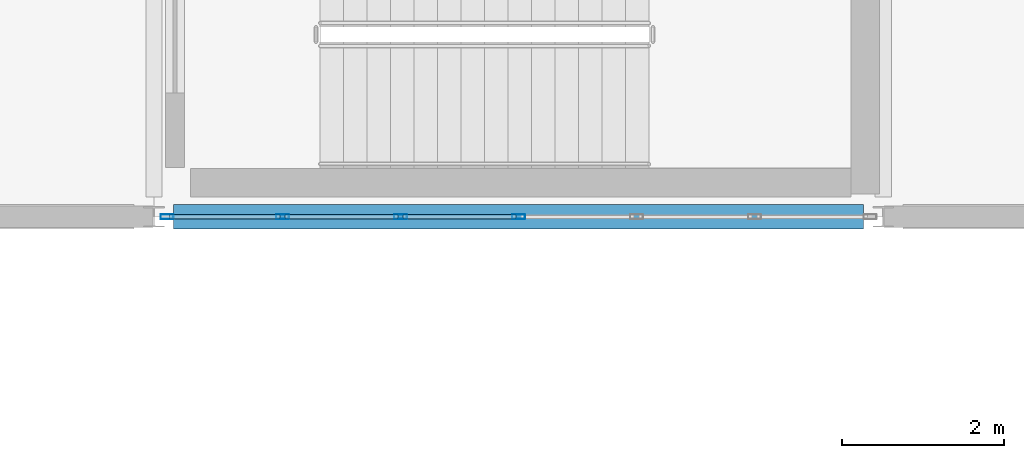
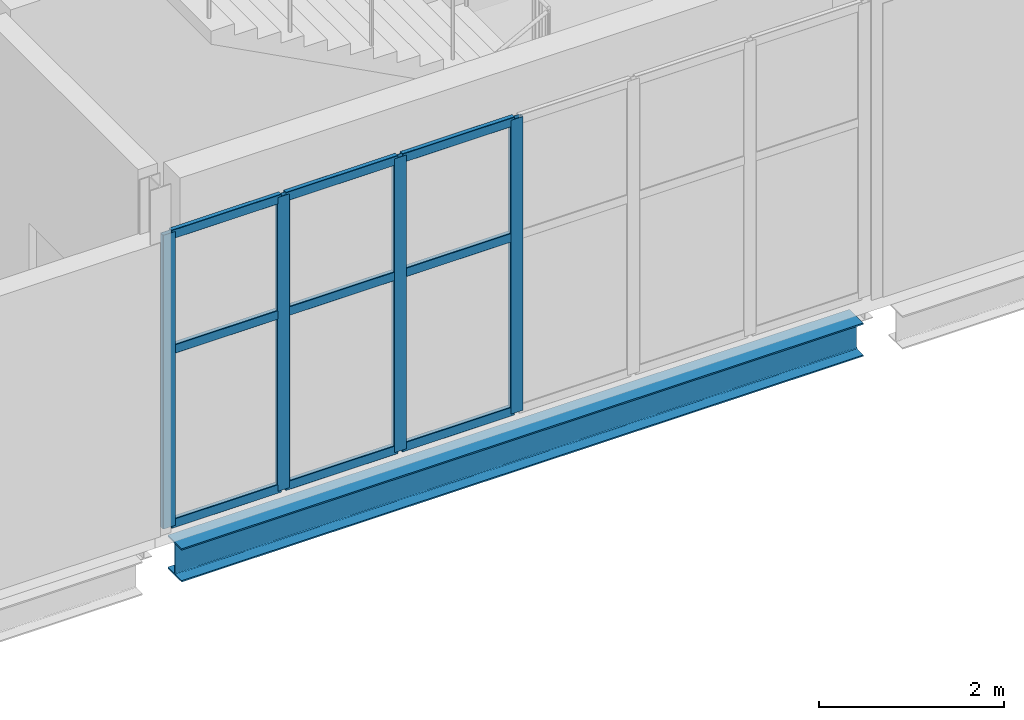
# One storey, part 19 of 37: 13 members, 1 beam, 1 element without a shape of its own.
"""IFC4 building model written with IfcOpenShell, lengths in metres."""

from ifc_helpers import new_model, si_unit, direction, frame, origin, origin_2d, place, context, subcontext, project, spatial, hollow_rectangle, i_section, extrude, material, material_profile, profile_set, type_object, element, aggregate, save


model = new_model("IFC4")

# Units and contexts
model_context = context("Model", 3, precision=1e-05, world=origin(), true_north=direction((0.0, 1.0)))
body_context = subcontext(model_context, "Body", "Model", "MODEL_VIEW")
ifc_project = project(units=[si_unit("LENGTHUNIT", "METRE"), si_unit("AREAUNIT", "SQUARE_METRE"), si_unit("VOLUMEUNIT", "CUBIC_METRE"), si_unit("PLANEANGLEUNIT", "RADIAN"), si_unit("MASSUNIT", "GRAM", prefix="KILO")], contexts=[model_context])

# Site, building, storey
site_placement = place(None, origin())
site = spatial("IfcSite", under=ifc_project, at=site_placement, CompositionType="ELEMENT")
building_placement = place(site_placement, origin())
building = spatial("IfcBuilding", under=site, at=building_placement, Name="Shengluoqiao Park Theatre", CompositionType="ELEMENT")
storey_placement = place(building_placement, frame((0.0, 0.0, 19.199951171875)))
storey = spatial("IfcBuildingStorey", under=building, at=storey_placement, Name="L04", CompositionType="ELEMENT", Elevation=19.199951171875)

# Curtain wall, members
ifc_material_1 = material(Name="Aluminium 6063-T6", Category="aluminium")
curtain_wall_type = type_object("IfcCurtainWallType", Name="ENV-CW-CLERE", PredefinedType="NOTDEFINED", material=ifc_material_1)
curtain_wall_placement = place(storey_placement, origin())
curtain_wall = element("IfcCurtainWall", 1, at=curtain_wall_placement, inside=storey, type_object=curtain_wall_type, Name="L04 Curtain Wall CWX-L04-0201", PredefinedType="NOTDEFINED")
ifc_material_profile_1 = material_profile(ifc_material_1, hollow_rectangle(XDim=0.06005859375, YDim=0.159912109375, WallThickness=0.00390625, InnerFilletRadius=0.00390625, OuterFilletRadius=0.008056640625, at=origin_2d()), Name="ALU MULLION 160x60x4")
ifc_profile_set_1 = profile_set([ifc_material_profile_1], Name="Aluminium 6063-T6")
member_type_1 = type_object("IfcMemberType", Name="ENV-MUL-160", PredefinedType="MULLION", material=ifc_profile_set_1)
member_1_placement = place(storey_placement, frame((139.5615234375, 84.0, 0.0), z_axis=(0.0, 0.0, 1.0), x_axis=(0.0, 1.0, 0.0)))
member_1 = element("IfcMember", 2, at=member_1_placement, type_object=member_type_1, Name="CW-06 mullion 1", PredefinedType="MULLION", context=body_context, shape_type="SweptSolid", body=[
    extrude(hollow_rectangle(XDim=0.06005859375, YDim=0.159912109375, WallThickness=0.00390625, InnerFilletRadius=0.00390625, OuterFilletRadius=0.008056640625, at=origin_2d()), origin(), (0.0, 0.0, 1.0), 3.8779296875),
])
member_2_placement = place(storey_placement, frame((140.987548828125, 84.0, 0.0), z_axis=(0.0, 0.0, 1.0), x_axis=(0.0, 1.0, 0.0)))
member_2 = element("IfcMember", 3, at=member_2_placement, type_object=member_type_1, Name="CW-06 mullion 2", PredefinedType="MULLION", context=body_context, shape_type="SweptSolid", body=[
    extrude(hollow_rectangle(XDim=0.06005859375, YDim=0.159912109375, WallThickness=0.00390625, InnerFilletRadius=0.00390625, OuterFilletRadius=0.008056640625, at=origin_2d()), origin(), (0.0, 0.0, 1.0), 3.8779296875),
])
member_3_placement = place(storey_placement, frame((142.44384765625, 84.0, 0.0), z_axis=(0.0, 0.0, 1.0), x_axis=(0.0, 1.0, 0.0)))
member_3 = element("IfcMember", 4, at=member_3_placement, type_object=member_type_1, Name="CW-06 mullion 3", PredefinedType="MULLION", context=body_context, shape_type="SweptSolid", body=[
    extrude(hollow_rectangle(XDim=0.06005859375, YDim=0.159912109375, WallThickness=0.00390625, InnerFilletRadius=0.00390625, OuterFilletRadius=0.008056640625, at=origin_2d()), origin(), (0.0, 0.0, 1.0), 3.8779296875),
])
member_4_placement = place(storey_placement, frame((143.89990234375, 84.0, 0.0), z_axis=(0.0, 0.0, 1.0), x_axis=(0.0, 1.0, 0.0)))
member_4 = element("IfcMember", 5, at=member_4_placement, type_object=member_type_1, Name="CW-06 mullion 4", PredefinedType="MULLION", context=body_context, shape_type="SweptSolid", body=[
    extrude(hollow_rectangle(XDim=0.06005859375, YDim=0.159912109375, WallThickness=0.00390625, InnerFilletRadius=0.00390625, OuterFilletRadius=0.008056640625, at=origin_2d()), origin(), (0.0, 0.0, 1.0), 3.8779296875),
])
ifc_material_profile_2 = material_profile(ifc_material_1, hollow_rectangle(XDim=0.06005859375, YDim=0.1201171875, WallThickness=0.00390625, InnerFilletRadius=0.00390625, OuterFilletRadius=0.008056640625, at=origin_2d()), Name="ALU TRANSOM 120x60x4")
ifc_profile_set_2 = profile_set([ifc_material_profile_2], Name="Aluminium 6063-T6")
member_type_2 = type_object("IfcMemberType", Name="ENV-TRN-120", PredefinedType="USERDEFINED", material=ifc_profile_set_2)
member_5_placement = place(storey_placement, frame((139.591552734375, 84.0, 0.030029296875), z_axis=(1.0, 0.0, 0.0), x_axis=(0.0, 1.0, 0.0)))
member_5 = element("IfcMember", 6, at=member_5_placement, type_object=member_type_2, Name="CW-06 transom 1.1", ObjectType="TRANSOM", PredefinedType="USERDEFINED", context=body_context, shape_type="SweptSolid", body=[
    extrude(hollow_rectangle(XDim=0.06005859375, YDim=0.1201171875, WallThickness=0.00390625, InnerFilletRadius=0.00390625, OuterFilletRadius=0.008056640625, at=origin_2d()), origin(), (0.0, 0.0, 1.0), 1.3662109375),
])
member_6_placement = place(storey_placement, frame((139.591552734375, 84.0, 2.3271484375), z_axis=(1.0, 0.0, 0.0), x_axis=(0.0, 1.0, 0.0)))
member_6 = element("IfcMember", 7, at=member_6_placement, type_object=member_type_2, Name="CW-06 transom 1.2", ObjectType="TRANSOM", PredefinedType="USERDEFINED", context=body_context, shape_type="SweptSolid", body=[
    extrude(hollow_rectangle(XDim=0.06005859375, YDim=0.1201171875, WallThickness=0.00390625, InnerFilletRadius=0.00390625, OuterFilletRadius=0.008056640625, at=origin_2d()), origin(), (0.0, 0.0, 1.0), 1.3662109375),
])
member_7_placement = place(storey_placement, frame((139.591552734375, 84.0, 3.84814453125), z_axis=(1.0, 0.0, 0.0), x_axis=(0.0, 1.0, 0.0)))
member_7 = element("IfcMember", 8, at=member_7_placement, type_object=member_type_2, Name="CW-06 transom 1.3", ObjectType="TRANSOM", PredefinedType="USERDEFINED", context=body_context, shape_type="SweptSolid", body=[
    extrude(hollow_rectangle(XDim=0.06005859375, YDim=0.1201171875, WallThickness=0.00390625, InnerFilletRadius=0.00390625, OuterFilletRadius=0.008056640625, at=origin_2d()), origin(), (0.0, 0.0, 1.0), 1.3662109375),
])
member_8_placement = place(storey_placement, frame((141.017578125, 84.0, 0.030029296875), z_axis=(1.0, 0.0, 0.0), x_axis=(0.0, 1.0, 0.0)))
member_8 = element("IfcMember", 9, at=member_8_placement, type_object=member_type_2, Name="CW-06 transom 2.1", ObjectType="TRANSOM", PredefinedType="USERDEFINED", context=body_context, shape_type="SweptSolid", body=[
    extrude(hollow_rectangle(XDim=0.06005859375, YDim=0.1201171875, WallThickness=0.00390625, InnerFilletRadius=0.00390625, OuterFilletRadius=0.008056640625, at=origin_2d()), origin(), (0.0, 0.0, 1.0), 1.396240234375),
])
member_9_placement = place(storey_placement, frame((141.017578125, 84.0, 2.3271484375), z_axis=(1.0, 0.0, 0.0), x_axis=(0.0, 1.0, 0.0)))
member_9 = element("IfcMember", 10, at=member_9_placement, type_object=member_type_2, Name="CW-06 transom 2.2", ObjectType="TRANSOM", PredefinedType="USERDEFINED", context=body_context, shape_type="SweptSolid", body=[
    extrude(hollow_rectangle(XDim=0.06005859375, YDim=0.1201171875, WallThickness=0.00390625, InnerFilletRadius=0.00390625, OuterFilletRadius=0.008056640625, at=origin_2d()), origin(), (0.0, 0.0, 1.0), 1.396240234375),
])
member_10_placement = place(storey_placement, frame((141.017578125, 84.0, 3.84814453125), z_axis=(1.0, 0.0, 0.0), x_axis=(0.0, 1.0, 0.0)))
member_10 = element("IfcMember", 11, at=member_10_placement, type_object=member_type_2, Name="CW-06 transom 2.3", ObjectType="TRANSOM", PredefinedType="USERDEFINED", context=body_context, shape_type="SweptSolid", body=[
    extrude(hollow_rectangle(XDim=0.06005859375, YDim=0.1201171875, WallThickness=0.00390625, InnerFilletRadius=0.00390625, OuterFilletRadius=0.008056640625, at=origin_2d()), origin(), (0.0, 0.0, 1.0), 1.396240234375),
])
member_11_placement = place(storey_placement, frame((142.473876953125, 84.0, 0.030029296875), z_axis=(1.0, 0.0, 0.0), x_axis=(0.0, 1.0, 0.0)))
member_11 = element("IfcMember", 12, at=member_11_placement, type_object=member_type_2, Name="CW-06 transom 3.1", ObjectType="TRANSOM", PredefinedType="USERDEFINED", context=body_context, shape_type="SweptSolid", body=[
    extrude(hollow_rectangle(XDim=0.06005859375, YDim=0.1201171875, WallThickness=0.00390625, InnerFilletRadius=0.00390625, OuterFilletRadius=0.008056640625, at=origin_2d()), origin(), (0.0, 0.0, 1.0), 1.396240234375),
])
member_12_placement = place(storey_placement, frame((142.473876953125, 84.0, 2.3271484375), z_axis=(1.0, 0.0, 0.0), x_axis=(0.0, 1.0, 0.0)))
member_12 = element("IfcMember", 13, at=member_12_placement, type_object=member_type_2, Name="CW-06 transom 3.2", ObjectType="TRANSOM", PredefinedType="USERDEFINED", context=body_context, shape_type="SweptSolid", body=[
    extrude(hollow_rectangle(XDim=0.06005859375, YDim=0.1201171875, WallThickness=0.00390625, InnerFilletRadius=0.00390625, OuterFilletRadius=0.008056640625, at=origin_2d()), origin(), (0.0, 0.0, 1.0), 1.396240234375),
])
member_13_placement = place(storey_placement, frame((142.473876953125, 84.0, 3.84814453125), z_axis=(1.0, 0.0, 0.0), x_axis=(0.0, 1.0, 0.0)))
member_13 = element("IfcMember", 14, at=member_13_placement, type_object=member_type_2, Name="CW-06 transom 3.3", ObjectType="TRANSOM", PredefinedType="USERDEFINED", context=body_context, shape_type="SweptSolid", body=[
    extrude(hollow_rectangle(XDim=0.06005859375, YDim=0.1201171875, WallThickness=0.00390625, InnerFilletRadius=0.00390625, OuterFilletRadius=0.008056640625, at=origin_2d()), origin(), (0.0, 0.0, 1.0), 1.396240234375),
])
aggregate(curtain_wall, [member_1, member_2, member_3, member_4, member_5, member_6, member_7, member_8, member_9, member_10, member_11, member_12, member_13])

# Beam
ifc_material_2 = material(Name="Steel Q355", Category="steel")
ifc_material_profile_3 = material_profile(ifc_material_2, i_section(OverallWidth=0.300048828125, OverallDepth=0.43994140625, WebThickness=0.010986328125, FlangeThickness=0.01806640625, FilletRadius=0.02001953125, at=origin_2d()), Name="HM 440x300x11x18")
ifc_profile_set_3 = profile_set([ifc_material_profile_3], Name="Steel Q355")
beam_type = type_object("IfcBeamType", Name="STR-BM-G-HM440", PredefinedType="BEAM", material=ifc_profile_set_3)
beam_placement = place(storey_placement, frame((139.64404296875, 84.0, -0.4599609375), z_axis=(1.0, 0.0, 0.0), x_axis=(0.0, 1.0, 0.0)))
element("IfcBeam", 15, at=beam_placement, inside=storey, type_object=beam_type, Name="L04 Primary Girder 01581", PredefinedType="BEAM", context=body_context, shape_type="SweptSolid", body=[
    extrude(i_section(OverallWidth=0.300048828125, OverallDepth=0.43994140625, WebThickness=0.010986328125, FlangeThickness=0.01806640625, FilletRadius=0.02001953125, at=origin_2d()), origin(), (0.0, 0.0, 1.0), 8.511962890625),
])

save(model, "model.ifc")
